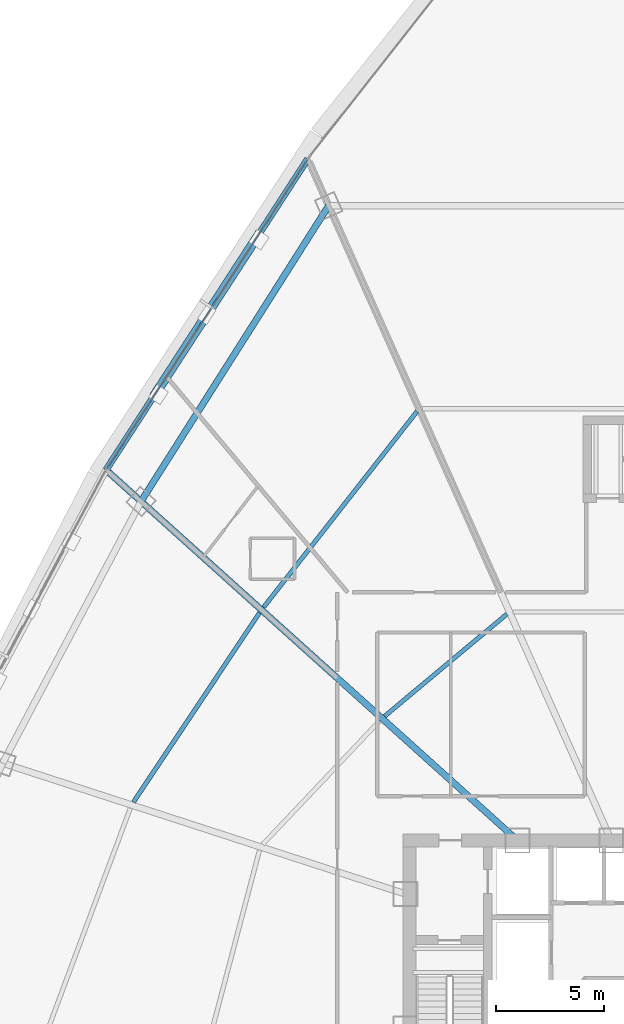
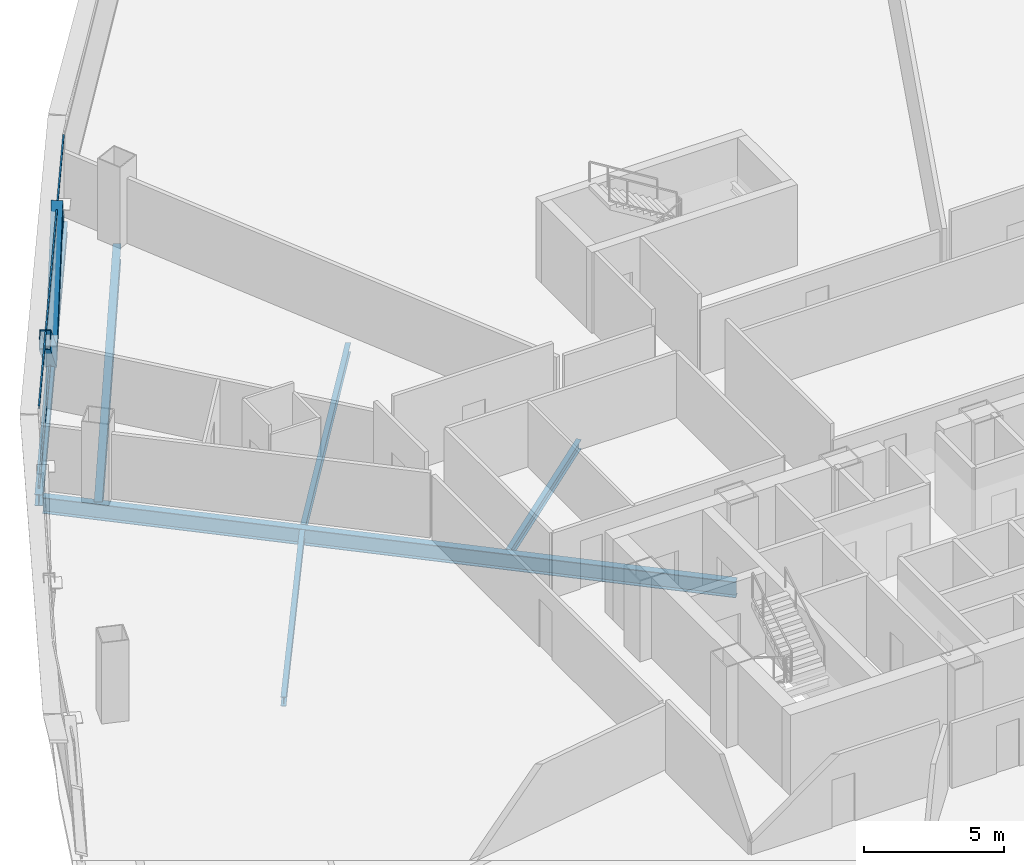
# One storey, part 15 of 37: 6 beams, 4 members, 1 element without a shape of its own.
"""IFC4 building model written with IfcOpenShell, lengths in metres."""

import ifcopenshell
import ifcopenshell.guid

model = None  # the IFC model being written
_history = None  # IfcOwnerHistory: only IFC2X3 demands one
_inside = {}  # id of a spatial element -> (the spatial element, [elements in it])
_under = {}  # id of a project, library or spatial element -> (it, [spatial elements below it])
_declared = {}  # id of a project -> (the project, [libraries it declares])
_typed = {}  # id of a type object -> (the type object, [elements of that type])
_made_of = {}  # id of a material, layer set ... -> (it, [elements and type objects made of it])


def new_model(schema):
    """Start an empty IFC model of exactly this schema.

    Asked for "IFC4X3", IfcOpenShell would pick the latest addendum, in which some entities
    have other attributes; the version numbers below select the first issue.
    IFC2X3 requires an IfcOwnerHistory on every rooted entity: one is made here for all.
    """
    global model, _history
    if schema == "IFC4X3":
        model = ifcopenshell.file(schema_version=(4, 3, 0, 0))
    else:
        model = ifcopenshell.file(schema=schema)
    _inside.clear()
    _under.clear()
    _declared.clear()
    _typed.clear()
    _made_of.clear()
    _history = None
    if model.schema == "IFC2X3":
        org = make("IfcOrganization", Name="unknown")
        user = make(
            "IfcPersonAndOrganization",
            ThePerson=make("IfcPerson", FamilyName="unknown"),
            TheOrganization=org,
        )
        app = make(
            "IfcApplication",
            ApplicationDeveloper=org,
            Version="unknown",
            ApplicationFullName="unknown",
            ApplicationIdentifier="unknown",
        )
        _history = make(
            "IfcOwnerHistory",
            OwningUser=user,
            OwningApplication=app,
            ChangeAction="ADDED",
            CreationDate=0,
        )
    return model


def make(cls, **values):
    """One entity of the class cls with the attributes given. An attribute that is None is left unset."""
    return model.create_entity(
        cls, **{name: value for name, value in values.items() if value is not None}
    )


def rooted(cls, **values):
    """An entity with a GlobalId (a new one), such as an element, a storey or a relation."""
    return make(cls, GlobalId=ifcopenshell.guid.new(), OwnerHistory=_history, **values)


def si_unit(unit_type, name, prefix=None):
    """IfcSIUnit, for example si_unit("LENGTHUNIT", "METRE", prefix="MILLI")."""
    return make("IfcSIUnit", UnitType=unit_type, Prefix=prefix, Name=name)


def assignment(units):
    """IfcUnitAssignment: the units of a project."""
    return None if units is None else make("IfcUnitAssignment", Units=units)


def point(xyz):
    """IfcCartesianPoint."""
    return None if xyz is None else make("IfcCartesianPoint", Coordinates=xyz)


def direction(xyz):
    """IfcDirection."""
    return None if xyz is None else make("IfcDirection", DirectionRatios=xyz)


def frame(location, z_axis=None, x_axis=None):
    """IfcAxis2Placement3D, a coordinate frame: its origin and axes. An axis left out is left unset."""
    return make(
        "IfcAxis2Placement3D",
        Location=point(location),
        Axis=direction(z_axis),
        RefDirection=direction(x_axis),
    )


def frame_2d(location, x_axis=None):
    """IfcAxis2Placement2D, a coordinate frame in the plane: its origin and x axis."""
    return make(
        "IfcAxis2Placement2D", Location=point(location), RefDirection=direction(x_axis)
    )


def origin():
    """The frame at (0, 0, 0) with its axes left unset."""
    return frame((0.0, 0.0, 0.0))


def origin_2d():
    """The frame at (0, 0) in the plane with its x axis left unset."""
    return frame_2d((0.0, 0.0))


def place(relative_to, where):
    """IfcLocalPlacement: puts the frame where relative to a parent placement (None: the world)."""
    return make(
        "IfcLocalPlacement", PlacementRelTo=relative_to, RelativePlacement=where
    )


def context(
    kind, dimensions, precision=None, world=None, true_north=None, identifier=None
):
    """IfcGeometricRepresentationContext, for example the 3D "Model" context."""
    return make(
        "IfcGeometricRepresentationContext",
        ContextIdentifier=identifier,
        ContextType=kind,
        CoordinateSpaceDimension=dimensions,
        Precision=precision,
        WorldCoordinateSystem=world,
        TrueNorth=true_north,
    )


def subcontext(parent, identifier, kind, view, scale=None):
    """IfcGeometricRepresentationSubContext, for example "Body" below "Model"."""
    return make(
        "IfcGeometricRepresentationSubContext",
        ContextIdentifier=identifier,
        ContextType=kind,
        ParentContext=parent,
        TargetScale=scale,
        TargetView=view,
    )


def project(units=None, contexts=None):
    """IfcProject with its units and contexts."""
    return rooted(
        "IfcProject",
        Name="project",
        RepresentationContexts=contexts,
        UnitsInContext=assignment(units),
    )


def spatial(cls, under=None, at=None, **own):
    """A site, building, storey or space (cls), placed at a placement, below another one or the project."""
    s = rooted(cls, ObjectPlacement=at, **own)
    if under is not None:
        _under.setdefault(under.id(), (under, []))[1].append(s)
    return s


def profile(cls, at=None, kind="AREA", **sizes):
    """A parametric profile (cls). Its sizes go by their IFC names, for example OverallWidth=200.0."""
    return make(cls, ProfileType=kind, Position=at, **sizes)


def hollow_rectangle(**sizes):
    """IfcRectangleHollowProfileDef."""
    return profile("IfcRectangleHollowProfileDef", **sizes)


def i_section(**sizes):
    """IfcIShapeProfileDef."""
    return profile("IfcIShapeProfileDef", **sizes)


def extrude(swept, where, along, depth):
    """IfcExtrudedAreaSolid: the profile swept, set in the frame where, extruded along a direction by depth."""
    return make(
        "IfcExtrudedAreaSolid",
        SweptArea=swept,
        Position=where,
        ExtrudedDirection=direction(along),
        Depth=depth,
    )


def shape(context_of_items, identifier, shape_type, items):
    """IfcShapeRepresentation: the items that make up one representation, for example the "Body"."""
    return make(
        "IfcShapeRepresentation",
        ContextOfItems=context_of_items,
        RepresentationIdentifier=identifier,
        RepresentationType=shape_type,
        Items=items,
    )


def source(mapping_origin, context_of_items, identifier, shape_type, items):
    """IfcRepresentationMap: a shape defined once, which mapped items show again and again."""
    return make(
        "IfcRepresentationMap",
        MappingOrigin=mapping_origin,
        MappedRepresentation=shape(context_of_items, identifier, shape_type, items),
    )


def transform(
    local_origin,
    x_axis=None,
    y_axis=None,
    z_axis=None,
    scale=None,
    scale2=None,
    scale3=None,
    uniform=True,
):
    """IfcCartesianTransformationOperator3D, or its non-uniform kind. x_axis, y_axis, z_axis: its Axis1, 2, 3."""
    if uniform:
        return make(
            "IfcCartesianTransformationOperator3D",
            Axis1=direction(x_axis),
            Axis2=direction(y_axis),
            LocalOrigin=point(local_origin),
            Scale=scale,
            Axis3=direction(z_axis),
        )
    return make(
        "IfcCartesianTransformationOperator3DnonUniform",
        Axis1=direction(x_axis),
        Axis2=direction(y_axis),
        LocalOrigin=point(local_origin),
        Scale=scale,
        Axis3=direction(z_axis),
        Scale2=scale2,
        Scale3=scale3,
    )


def mapped(mapping_source, mapping_target):
    """IfcMappedItem: shows the shape of a source again, moved by a transform."""
    return make(
        "IfcMappedItem", MappingSource=mapping_source, MappingTarget=mapping_target
    )


def material(Name=None, Category=None):
    """IfcMaterial."""
    return make("IfcMaterial", Name=Name, Category=Category)


def layer(
    of_material, thickness, ventilated=None, Name=None, Category=None, Priority=None
):
    """IfcMaterialLayer: one layer of a wall or slab, of a material (None: an air gap)."""
    return make(
        "IfcMaterialLayer",
        Material=of_material,
        LayerThickness=thickness,
        IsVentilated=ventilated,
        Name=Name,
        Category=Category,
        Priority=Priority,
    )


def layer_set(layers, Name=None):
    """IfcMaterialLayerSet."""
    return make("IfcMaterialLayerSet", MaterialLayers=layers, LayerSetName=Name)


def material_profile(
    of_material, cross_section, Name=None, Category=None, Priority=None
):
    """IfcMaterialProfile: a cross section and its material."""
    return make(
        "IfcMaterialProfile",
        Name=Name,
        Material=of_material,
        Profile=cross_section,
        Priority=Priority,
        Category=Category,
    )


def profile_set(profiles, Name=None, composite=None):
    """IfcMaterialProfileSet."""
    return make(
        "IfcMaterialProfileSet",
        Name=Name,
        MaterialProfiles=profiles,
        CompositeProfile=composite,
    )


def made_of(thing, what):
    """Note that an element or type object is made of a material, layer set ...; save() writes the relation."""
    if what is not None:
        _made_of.setdefault(what.id(), (what, []))[1].append(thing)
    return thing


def type_object(cls, material=None, **own):
    """A type object (cls), such as IfcWallType, which elements share."""
    return made_of(rooted(cls, **own), material)


def element(
    cls,
    number,
    at=None,
    inside=None,
    cuts=None,
    type_object=None,
    material=None,
    context=None,
    identifier="Body",
    shape_type=None,
    held_by="IfcProductDefinitionShape",
    body=None,
    shapes=None,
    **own,
):
    """One element of the class cls, such as IfcWall. Its Tag is "e" and its number.

    at: its placement. inside: the storey or other place that contains it. cuts: it is an
    opening in that element (IfcRelVoidsElement). A single representation is given by context,
    identifier, shape_type and body (its items); several are given by shapes. held_by: the class
    of the entity that holds the representations. save() writes the other relations.
    """
    e = rooted(cls, Tag="e%d" % number, ObjectPlacement=at, **own)
    if body is not None:
        shapes = [shape(context, identifier, shape_type, body)]
    if shapes is not None:
        e.Representation = make(held_by, Representations=shapes)
    if inside is not None:
        _inside.setdefault(inside.id(), (inside, []))[1].append(e)
    if cuts is not None:
        rooted(
            "IfcRelVoidsElement", RelatingBuildingElement=cuts, RelatedOpeningElement=e
        )
    if type_object is not None:
        _typed.setdefault(type_object.id(), (type_object, []))[1].append(e)
    return made_of(e, material)


def aggregate(whole, parts):
    """IfcRelAggregates: a whole, such as a stair, and the parts it consists of."""
    return rooted("IfcRelAggregates", RelatingObject=whole, RelatedObjects=parts)


def save(model, path):
    """Write the relations noted so far, then the file.

    IfcRelAggregates (storeys below a building ...), IfcRelContainedInSpatialStructure (elements
    in a storey), IfcRelDefinesByType, IfcRelAssociatesMaterial and IfcRelDeclares: one each for
    every whole, place, type object, material and project.
    """
    for whole, parts in _under.values():
        aggregate(whole, parts)
    for where, things in _inside.values():
        rooted(
            "IfcRelContainedInSpatialStructure",
            RelatedElements=things,
            RelatingStructure=where,
        )
    for kind, things in _typed.values():
        rooted("IfcRelDefinesByType", RelatedObjects=things, RelatingType=kind)
    for what, things in _made_of.values():
        rooted("IfcRelAssociatesMaterial", RelatedObjects=things, RelatingMaterial=what)
    for by, libraries in _declared.values():
        rooted("IfcRelDeclares", RelatingContext=by, RelatedDefinitions=libraries)
    model.write(path)


model = new_model("IFC4")

# Units and contexts
model_context = context("Model", 3, precision=1e-05, world=origin(), true_north=direction((0.0, 1.0)))
body_context = subcontext(model_context, "Body", "Model", "MODEL_VIEW")
ifc_project = project(units=[si_unit("LENGTHUNIT", "METRE"), si_unit("AREAUNIT", "SQUARE_METRE"), si_unit("VOLUMEUNIT", "CUBIC_METRE"), si_unit("PLANEANGLEUNIT", "RADIAN"), si_unit("MASSUNIT", "GRAM", prefix="KILO"), si_unit("THERMODYNAMICTEMPERATUREUNIT", "KELVIN"), si_unit("POWERUNIT", "WATT")], contexts=[model_context])

# Site, building, storey
site_placement = place(None, origin())
site = spatial("IfcSite", under=ifc_project, at=site_placement, CompositionType="ELEMENT")
building_placement = place(site_placement, origin())
building = spatial("IfcBuilding", under=site, at=building_placement, Name="Yunzhuo Pagoda Commons", CompositionType="ELEMENT")
storey_placement = place(building_placement, frame((0.0, 0.0, 88.780029296875)))
storey = spatial("IfcBuildingStorey", under=building, at=storey_placement, Name="L22", CompositionType="ELEMENT", Elevation=88.780029296875)

# Beams
ifc_material_1 = material(Name="Structural steel Q355B", Category="steel")
ifc_material_profile_1 = material_profile(ifc_material_1, i_section(OverallWidth=0.300048828125, OverallDepth=0.488037109375, WebThickness=0.010986328125, FlangeThickness=0.01806640625, at=origin_2d()), Name="Structural steel Q355B")
ifc_profile_set_1 = profile_set([ifc_material_profile_1], Name="Structural steel Q355B")
beam_type_1 = type_object("IfcBeamType", Name="B-SP1 Beam HM 488x300x11x18", PredefinedType="BEAM", material=ifc_profile_set_1)
shared_shape_1 = source(origin(), body_context, "Body", "SweptSolid", [
    extrude(i_section(OverallWidth=0.300048828125, OverallDepth=0.488037109375, WebThickness=0.010986328125, FlangeThickness=0.01806640625, at=origin_2d()), origin(), (0.0, 0.0, 1.0), 17.115966796875),
])
beam_1_placement = place(storey_placement, frame((31.095947265625, 71.6669921875, -0.504150390625), z_axis=(-0.544271692391, -0.83890900869, 0.0), x_axis=(0.83890900869, -0.544271692391, 0.0)))
element("IfcBeam", 1, at=beam_1_placement, inside=storey, type_object=beam_type_1, Name="L22 facade edge spandrel beam F3.1", PredefinedType="BEAM", context=body_context, shape_type="MappedRepresentation", body=[
    mapped(shared_shape_1, transform((0.0, 0.0, 0.0), scale=1.0)),
])
ifc_material_profile_2 = material_profile(ifc_material_1, i_section(OverallWidth=0.300048828125, OverallDepth=0.699951171875, WebThickness=0.012939453125, FlangeThickness=0.02392578125, at=origin_2d()), Name="Structural steel Q355B")
ifc_profile_set_2 = profile_set([ifc_material_profile_2], Name="Structural steel Q355B")
beam_type_2 = type_object("IfcBeamType", Name="B-RG1 Beam HN 700x300x13x24", PredefinedType="BEAM", material=ifc_profile_set_2)
shared_shape_2 = source(origin(), body_context, "Body", "SweptSolid", [
    extrude(i_section(OverallWidth=0.300048828125, OverallDepth=0.699951171875, WebThickness=0.012939453125, FlangeThickness=0.02392578125, at=origin_2d()), origin(), (0.0, 0.0, 1.0), 16.16845703125),
])
beam_2_placement = place(storey_placement, frame((32.05859375, 69.505126953125, -0.610107421875), z_axis=(-0.535695673154, -0.844411123662, 0.0), x_axis=(0.844411123662, -0.535695673154, 0.0)))
element("IfcBeam", 2, at=beam_2_placement, inside=storey, type_object=beam_type_2, Name="L22 column-ring beam 9", PredefinedType="BEAM", context=body_context, shape_type="MappedRepresentation", body=[
    mapped(shared_shape_2, transform((0.0, 0.0, 0.0), scale=1.0)),
])
shared_shape_3 = source(origin(), body_context, "Body", "SweptSolid", [
    extrude(i_section(OverallWidth=0.300048828125, OverallDepth=0.699951171875, WebThickness=0.012939453125, FlangeThickness=0.02392578125, at=origin_2d()), origin(), (0.0, 0.0, 1.0), 25.4130859375),
])
beam_3_placement = place(storey_placement, frame((21.8955078125, 57.20458984375, -0.610107421875), z_axis=(0.743143654342, -0.669131907034, 0.0), x_axis=(0.669131907034, 0.743143654342, 0.0)))
element("IfcBeam", 3, at=beam_3_placement, inside=storey, type_object=beam_type_2, Name="L22 radial floor girder F3C2", PredefinedType="BEAM", context=body_context, shape_type="MappedRepresentation", body=[
    mapped(shared_shape_3, transform((0.0, 0.0, 0.0), scale=1.0)),
])
ifc_material_profile_3 = material_profile(ifc_material_1, i_section(OverallWidth=0.199951171875, OverallDepth=0.39990234375, WebThickness=0.008056640625, FlangeThickness=0.012939453125, at=origin_2d()), Name="Structural steel Q355B")
ifc_profile_set_3 = profile_set([ifc_material_profile_3], Name="Structural steel Q355B")
beam_type_3 = type_object("IfcBeamType", Name="B-JS1 Joist HN 400x200x8x13", PredefinedType="JOIST", material=ifc_profile_set_3)
shared_shape_4 = source(origin(), body_context, "Body", "SweptSolid", [
    extrude(i_section(OverallWidth=0.199951171875, OverallDepth=0.39990234375, WebThickness=0.008056640625, FlangeThickness=0.012939453125, at=origin_2d()), origin(), (0.0, 0.0, 1.0), 10.50537109375),
])
beam_4_placement = place(storey_placement, frame((28.871826171875, 50.711181640625, -0.4599609375), z_axis=(-0.554523204193, -0.832168261839, 0.0), x_axis=(0.832168261839, -0.554523204193, 0.0)))
element("IfcBeam", 4, at=beam_4_placement, inside=storey, type_object=beam_type_3, Name="L22 composite ring joist 2.10", PredefinedType="JOIST", context=body_context, shape_type="MappedRepresentation", body=[
    mapped(shared_shape_4, transform((0.0, 0.0, 0.0), scale=1.0)),
])
shared_shape_5 = source(origin(), body_context, "Body", "SweptSolid", [
    extrude(i_section(OverallWidth=0.199951171875, OverallDepth=0.39990234375, WebThickness=0.008056640625, FlangeThickness=0.012939453125, at=origin_2d()), origin(), (0.0, 0.0, 1.0), 7.35009765625),
])
beam_5_placement = place(storey_placement, frame((40.286865234375, 50.64794921875, -0.4599609375), z_axis=(-0.767561992249, -0.640974717173, 0.0), x_axis=(0.640974717173, -0.767561992249, 0.0)))
element("IfcBeam", 5, at=beam_5_placement, inside=storey, type_object=beam_type_3, Name="L22 composite ring joist 1.9", PredefinedType="JOIST", context=body_context, shape_type="MappedRepresentation", body=[
    mapped(shared_shape_5, transform((0.0, 0.0, 0.0), scale=1.0)),
])
shared_shape_6 = source(origin(), body_context, "Body", "SweptSolid", [
    extrude(i_section(OverallWidth=0.199951171875, OverallDepth=0.39990234375, WebThickness=0.008056640625, FlangeThickness=0.012939453125, at=origin_2d()), origin(), (0.0, 0.0, 1.0), 11.4755859375),
])
beam_6_placement = place(storey_placement, frame((36.135498046875, 60.002197265625, -0.4599609375), z_axis=(-0.616713174055, -0.787187945123, 0.0), x_axis=(0.787187945123, -0.616713174055, 0.0)))
element("IfcBeam", 6, at=beam_6_placement, inside=storey, type_object=beam_type_3, Name="L22 composite ring joist 2.9", PredefinedType="JOIST", context=body_context, shape_type="MappedRepresentation", body=[
    mapped(shared_shape_6, transform((0.0, 0.0, 0.0), scale=1.0)),
])

# Members
ifc_material_2 = material(Name="Structural steel Q420B", Category="steel")
ifc_material_profile_4 = material_profile(ifc_material_2, hollow_rectangle(XDim=0.419921875, YDim=0.719970703125, WallThickness=0.028076171875, at=origin_2d()), Name="Structural steel Q420B")
ifc_profile_set_4 = profile_set([ifc_material_profile_4], Name="Structural steel Q420B")
member_type_1 = type_object("IfcMemberType", Name="M-DL1 Brace BOX 720x420x28", PredefinedType="BRACE", material=ifc_profile_set_4)
shared_shape_7 = source(origin(), body_context, "Body", "SweptSolid", [
    extrude(hollow_rectangle(XDim=0.419921875, YDim=0.719970703125, WallThickness=0.028076171875, at=origin_2d()), origin(), (0.0, 0.0, 1.0), 5.72265625),
])
member_1_placement = place(storey_placement, frame((26.43798828125, 64.48779296875, -0.259765625), z_axis=(0.406998696352, 0.627264343025, 0.663996615306), x_axis=(-0.838885244112, 0.544308319991, 0.0)))
element("IfcMember", 7, at=member_1_placement, inside=storey, type_object=member_type_1, Name="L22 facade diamond brace F3.1L", PredefinedType="BRACE", context=body_context, shape_type="MappedRepresentation", body=[
    mapped(shared_shape_7, transform((0.0, 0.0, 0.0), scale=1.0)),
])
shared_shape_8 = source(origin(), body_context, "Body", "SweptSolid", [
    extrude(hollow_rectangle(XDim=0.419921875, YDim=0.719970703125, WallThickness=0.028076171875, at=origin_2d()), origin(), (0.0, 0.0, 1.0), 5.722412109375),
])
member_2_placement = place(storey_placement, frame((26.43798828125, 64.48779296875, -0.259765625), z_axis=(-0.406963100016, -0.627275234252, 0.664008144317), x_axis=(0.838911296143, -0.544268166627, 0.0)))
element("IfcMember", 8, at=member_2_placement, inside=storey, type_object=member_type_1, Name="L22 facade diamond brace F3.1R", PredefinedType="BRACE", context=body_context, shape_type="MappedRepresentation", body=[
    mapped(shared_shape_8, transform((0.0, 0.0, 0.0), scale=1.0)),
])

# Curtain wall, members
ifc_material_3 = material(Name="Anodized aluminium 6063-T6", Category="aluminium")
ifc_layer = layer(ifc_material_3, 0.1650390625)
ifc_layer_set = layer_set([ifc_layer], Name="Anodized aluminium 6063-T6")
curtain_wall_type = type_object("IfcCurtainWallType", Name="CW-LOW Low-Zone Ribbon Curtain Wall", PredefinedType="NOTDEFINED", material=ifc_layer_set)
curtain_wall_placement = place(storey_placement, origin())
curtain_wall = element("IfcCurtainWall", 9, at=curtain_wall_placement, inside=storey, type_object=curtain_wall_type, Name="L22 curtain wall CW-L22-F3B2", PredefinedType="NOTDEFINED")
ifc_material_profile_5 = material_profile(ifc_material_3, hollow_rectangle(XDim=0.06005859375, YDim=0.139892578125, WallThickness=0.00341796875, at=origin_2d()), Name="Anodized aluminium 6063-T6")
ifc_profile_set_5 = profile_set([ifc_material_profile_5], Name="Anodized aluminium 6063-T6")
member_type_2 = type_object("IfcMemberType", Name="CW-LOW-T Transom RHS 140x60x3.5", PredefinedType="USERDEFINED", material=ifc_profile_set_5)
shared_shape_9 = source(origin(), body_context, "Body", "SweptSolid", [
    extrude(hollow_rectangle(XDim=0.06005859375, YDim=0.139892578125, WallThickness=0.00341796875, at=origin_2d()), origin(), (0.0, 0.0, 1.0), 16.98583984375),
])
member_3_placement = place(storey_placement, frame((31.060546875, 71.612548828125, 0.030029296875), z_axis=(-0.544271762736, -0.838908963051, 0.0), x_axis=(0.838908963051, -0.544271762736, 0.0)))
member_3 = element("IfcMember", 10, at=member_3_placement, type_object=member_type_2, Name="CW transom 1.1", ObjectType="TRANSOM", PredefinedType="USERDEFINED", context=body_context, shape_type="MappedRepresentation", body=[
    mapped(shared_shape_9, transform((0.0, 0.0, 0.0), scale=1.0)),
])
member_4_placement = place(storey_placement, frame((31.060546875, 71.612548828125, 3.510009765625), z_axis=(-0.544271762736, -0.838908963051, 0.0), x_axis=(0.838908963051, -0.544271762736, 0.0)))
member_4 = element("IfcMember", 11, at=member_4_placement, type_object=member_type_2, Name="CW transom 1.2", ObjectType="TRANSOM", PredefinedType="USERDEFINED", context=body_context, shape_type="MappedRepresentation", body=[
    mapped(shared_shape_9, transform((0.0, 0.0, 0.0), scale=1.0)),
])
aggregate(curtain_wall, [member_3, member_4])

save(model, "model.ifc")
